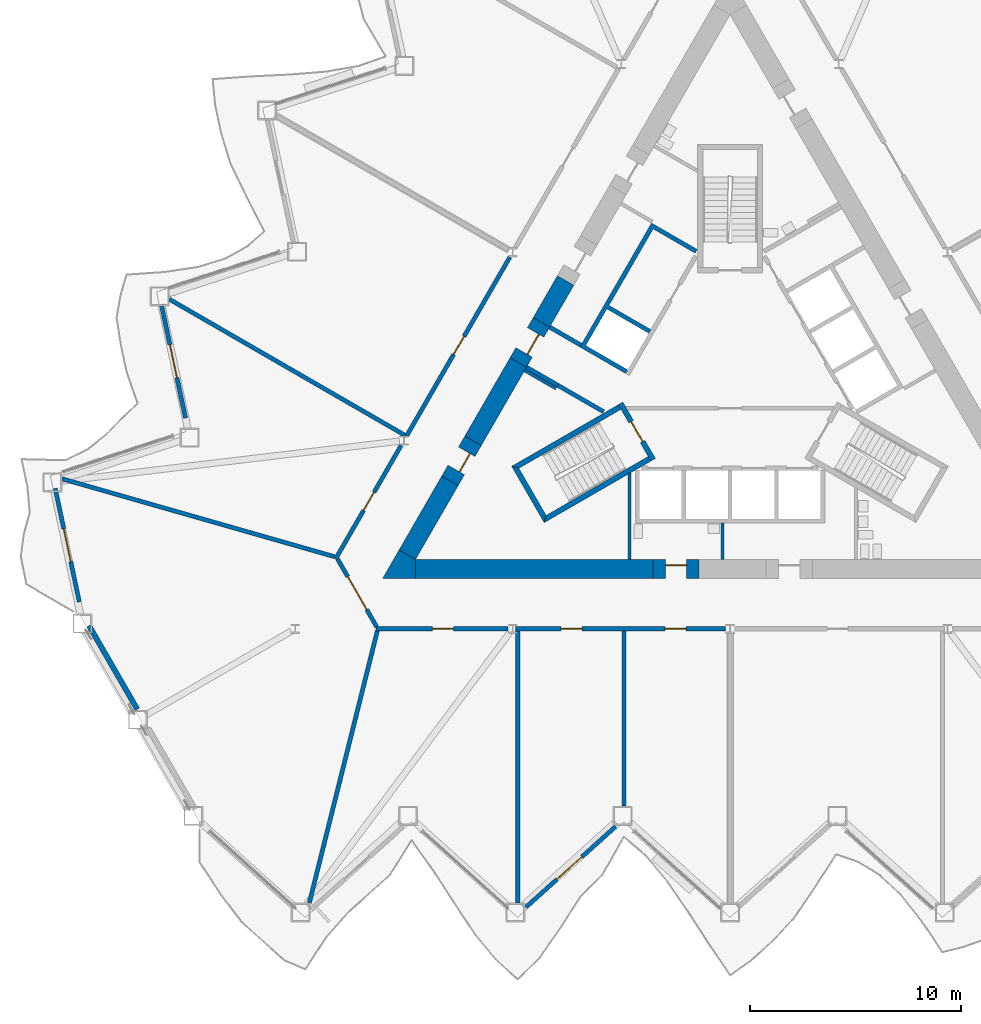
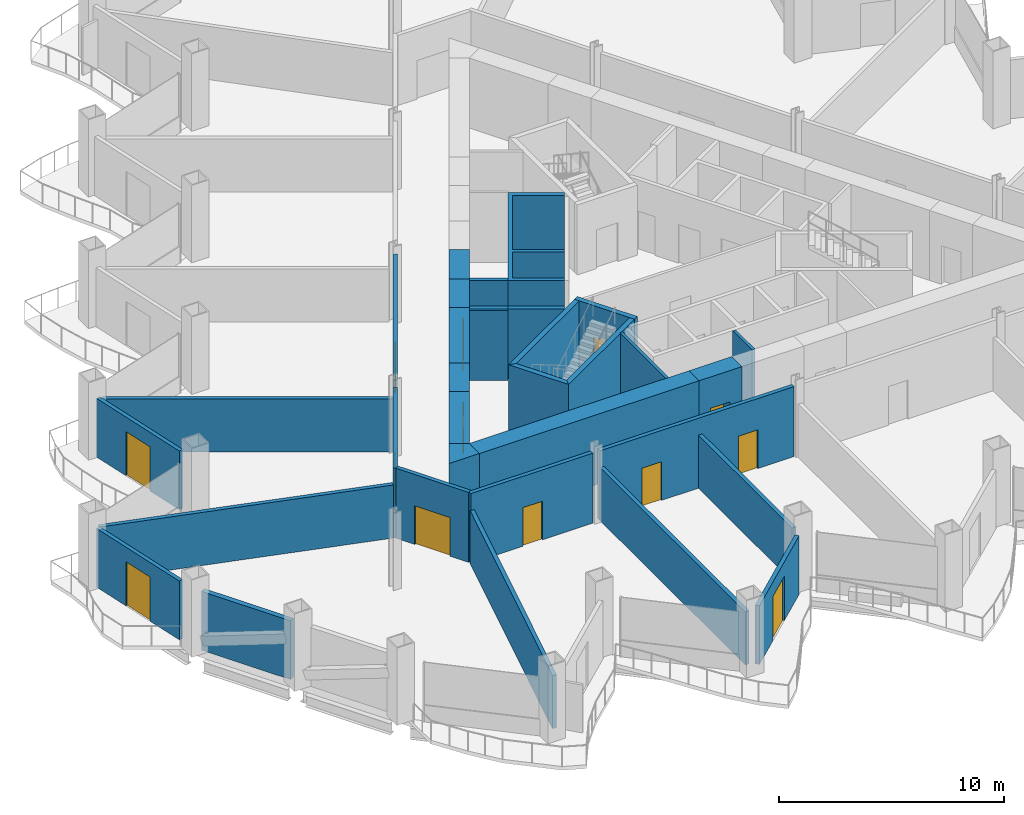
# One storey, part 10 of 21: 33 walls, 13 doors, 13 openings.
"""IFC4 building model written with IfcOpenShell, lengths in metres."""

import ifcopenshell
import ifcopenshell.guid

model = None  # the IFC model being written
_history = None  # IfcOwnerHistory: only IFC2X3 demands one
_inside = {}  # id of a spatial element -> (the spatial element, [elements in it])
_under = {}  # id of a project, library or spatial element -> (it, [spatial elements below it])
_declared = {}  # id of a project -> (the project, [libraries it declares])
_typed = {}  # id of a type object -> (the type object, [elements of that type])
_made_of = {}  # id of a material, layer set ... -> (it, [elements and type objects made of it])


def new_model(schema):
    """Start an empty IFC model of exactly this schema.

    Asked for "IFC4X3", IfcOpenShell would pick the latest addendum, in which some entities
    have other attributes; the version numbers below select the first issue.
    IFC2X3 requires an IfcOwnerHistory on every rooted entity: one is made here for all.
    """
    global model, _history
    if schema == "IFC4X3":
        model = ifcopenshell.file(schema_version=(4, 3, 0, 0))
    else:
        model = ifcopenshell.file(schema=schema)
    _inside.clear()
    _under.clear()
    _declared.clear()
    _typed.clear()
    _made_of.clear()
    _history = None
    if model.schema == "IFC2X3":
        org = make("IfcOrganization", Name="unknown")
        user = make(
            "IfcPersonAndOrganization",
            ThePerson=make("IfcPerson", FamilyName="unknown"),
            TheOrganization=org,
        )
        app = make(
            "IfcApplication",
            ApplicationDeveloper=org,
            Version="unknown",
            ApplicationFullName="unknown",
            ApplicationIdentifier="unknown",
        )
        _history = make(
            "IfcOwnerHistory",
            OwningUser=user,
            OwningApplication=app,
            ChangeAction="ADDED",
            CreationDate=0,
        )
    return model


def make(cls, **values):
    """One entity of the class cls with the attributes given. An attribute that is None is left unset."""
    return model.create_entity(
        cls, **{name: value for name, value in values.items() if value is not None}
    )


def rooted(cls, **values):
    """An entity with a GlobalId (a new one), such as an element, a storey or a relation."""
    return make(cls, GlobalId=ifcopenshell.guid.new(), OwnerHistory=_history, **values)


def si_unit(unit_type, name, prefix=None):
    """IfcSIUnit, for example si_unit("LENGTHUNIT", "METRE", prefix="MILLI")."""
    return make("IfcSIUnit", UnitType=unit_type, Prefix=prefix, Name=name)


def assignment(units):
    """IfcUnitAssignment: the units of a project."""
    return None if units is None else make("IfcUnitAssignment", Units=units)


def point(xyz):
    """IfcCartesianPoint."""
    return None if xyz is None else make("IfcCartesianPoint", Coordinates=xyz)


def direction(xyz):
    """IfcDirection."""
    return None if xyz is None else make("IfcDirection", DirectionRatios=xyz)


def frame(location, z_axis=None, x_axis=None):
    """IfcAxis2Placement3D, a coordinate frame: its origin and axes. An axis left out is left unset."""
    return make(
        "IfcAxis2Placement3D",
        Location=point(location),
        Axis=direction(z_axis),
        RefDirection=direction(x_axis),
    )


def frame_2d(location, x_axis=None):
    """IfcAxis2Placement2D, a coordinate frame in the plane: its origin and x axis."""
    return make(
        "IfcAxis2Placement2D", Location=point(location), RefDirection=direction(x_axis)
    )


def origin():
    """The frame at (0, 0, 0) with its axes left unset."""
    return frame((0.0, 0.0, 0.0))


def place(relative_to, where):
    """IfcLocalPlacement: puts the frame where relative to a parent placement (None: the world)."""
    return make(
        "IfcLocalPlacement", PlacementRelTo=relative_to, RelativePlacement=where
    )


def context(
    kind, dimensions, precision=None, world=None, true_north=None, identifier=None
):
    """IfcGeometricRepresentationContext, for example the 3D "Model" context."""
    return make(
        "IfcGeometricRepresentationContext",
        ContextIdentifier=identifier,
        ContextType=kind,
        CoordinateSpaceDimension=dimensions,
        Precision=precision,
        WorldCoordinateSystem=world,
        TrueNorth=true_north,
    )


def subcontext(parent, identifier, kind, view, scale=None):
    """IfcGeometricRepresentationSubContext, for example "Body" below "Model"."""
    return make(
        "IfcGeometricRepresentationSubContext",
        ContextIdentifier=identifier,
        ContextType=kind,
        ParentContext=parent,
        TargetScale=scale,
        TargetView=view,
    )


def project(units=None, contexts=None):
    """IfcProject with its units and contexts."""
    return rooted(
        "IfcProject",
        Name="project",
        RepresentationContexts=contexts,
        UnitsInContext=assignment(units),
    )


def spatial(cls, under=None, at=None, **own):
    """A site, building, storey or space (cls), placed at a placement, below another one or the project."""
    s = rooted(cls, ObjectPlacement=at, **own)
    if under is not None:
        _under.setdefault(under.id(), (under, []))[1].append(s)
    return s


def polyline(points):
    """IfcPolyline through the points."""
    return make("IfcPolyline", Points=[point(p) for p in points])


def profile(cls, at=None, kind="AREA", **sizes):
    """A parametric profile (cls). Its sizes go by their IFC names, for example OverallWidth=200.0."""
    return make(cls, ProfileType=kind, Position=at, **sizes)


def rectangle(**sizes):
    """IfcRectangleProfileDef."""
    return profile("IfcRectangleProfileDef", **sizes)


def outline(outer, holes=None, kind="AREA"):
    """IfcArbitraryClosedProfileDef: a profile drawn as a closed curve; with holes, ...WithVoids."""
    if holes is None:
        return make("IfcArbitraryClosedProfileDef", ProfileType=kind, OuterCurve=outer)
    return make(
        "IfcArbitraryProfileDefWithVoids",
        ProfileType=kind,
        OuterCurve=outer,
        InnerCurves=holes,
    )


def extrude(swept, where, along, depth):
    """IfcExtrudedAreaSolid: the profile swept, set in the frame where, extruded along a direction by depth."""
    return make(
        "IfcExtrudedAreaSolid",
        SweptArea=swept,
        Position=where,
        ExtrudedDirection=direction(along),
        Depth=depth,
    )


def shape(context_of_items, identifier, shape_type, items):
    """IfcShapeRepresentation: the items that make up one representation, for example the "Body"."""
    return make(
        "IfcShapeRepresentation",
        ContextOfItems=context_of_items,
        RepresentationIdentifier=identifier,
        RepresentationType=shape_type,
        Items=items,
    )


def material(Name=None, Category=None):
    """IfcMaterial."""
    return make("IfcMaterial", Name=Name, Category=Category)


def layer(
    of_material, thickness, ventilated=None, Name=None, Category=None, Priority=None
):
    """IfcMaterialLayer: one layer of a wall or slab, of a material (None: an air gap)."""
    return make(
        "IfcMaterialLayer",
        Material=of_material,
        LayerThickness=thickness,
        IsVentilated=ventilated,
        Name=Name,
        Category=Category,
        Priority=Priority,
    )


def layer_set(layers, Name=None):
    """IfcMaterialLayerSet."""
    return make("IfcMaterialLayerSet", MaterialLayers=layers, LayerSetName=Name)


def made_of(thing, what):
    """Note that an element or type object is made of a material, layer set ...; save() writes the relation."""
    if what is not None:
        _made_of.setdefault(what.id(), (what, []))[1].append(thing)
    return thing


def type_object(cls, material=None, **own):
    """A type object (cls), such as IfcWallType, which elements share."""
    return made_of(rooted(cls, **own), material)


def element(
    cls,
    number,
    at=None,
    inside=None,
    cuts=None,
    type_object=None,
    material=None,
    context=None,
    identifier="Body",
    shape_type=None,
    held_by="IfcProductDefinitionShape",
    body=None,
    shapes=None,
    **own,
):
    """One element of the class cls, such as IfcWall. Its Tag is "e" and its number.

    at: its placement. inside: the storey or other place that contains it. cuts: it is an
    opening in that element (IfcRelVoidsElement). A single representation is given by context,
    identifier, shape_type and body (its items); several are given by shapes. held_by: the class
    of the entity that holds the representations. save() writes the other relations.
    """
    e = rooted(cls, Tag="e%d" % number, ObjectPlacement=at, **own)
    if body is not None:
        shapes = [shape(context, identifier, shape_type, body)]
    if shapes is not None:
        e.Representation = make(held_by, Representations=shapes)
    if inside is not None:
        _inside.setdefault(inside.id(), (inside, []))[1].append(e)
    if cuts is not None:
        rooted(
            "IfcRelVoidsElement", RelatingBuildingElement=cuts, RelatedOpeningElement=e
        )
    if type_object is not None:
        _typed.setdefault(type_object.id(), (type_object, []))[1].append(e)
    return made_of(e, material)


def fill(opening, filler):
    """IfcRelFillsElement: the door or window that sits in an opening."""
    return rooted(
        "IfcRelFillsElement",
        RelatingOpeningElement=opening,
        RelatedBuildingElement=filler,
    )


def aggregate(whole, parts):
    """IfcRelAggregates: a whole, such as a stair, and the parts it consists of."""
    return rooted("IfcRelAggregates", RelatingObject=whole, RelatedObjects=parts)


def save(model, path):
    """Write the relations noted so far, then the file.

    IfcRelAggregates (storeys below a building ...), IfcRelContainedInSpatialStructure (elements
    in a storey), IfcRelDefinesByType, IfcRelAssociatesMaterial and IfcRelDeclares: one each for
    every whole, place, type object, material and project.
    """
    for whole, parts in _under.values():
        aggregate(whole, parts)
    for where, things in _inside.values():
        rooted(
            "IfcRelContainedInSpatialStructure",
            RelatedElements=things,
            RelatingStructure=where,
        )
    for kind, things in _typed.values():
        rooted("IfcRelDefinesByType", RelatedObjects=things, RelatingType=kind)
    for what, things in _made_of.values():
        rooted("IfcRelAssociatesMaterial", RelatedObjects=things, RelatingMaterial=what)
    for by, libraries in _declared.values():
        rooted("IfcRelDeclares", RelatingContext=by, RelatedDefinitions=libraries)
    model.write(path)


model = new_model("IFC4")

# Units and contexts
model_context = context("Model", 3, precision=1e-05, world=origin(), true_north=direction((0.0, 1.0)))
body_context = subcontext(model_context, "Body", "Model", "MODEL_VIEW")
ifc_project = project(units=[si_unit("LENGTHUNIT", "METRE"), si_unit("AREAUNIT", "SQUARE_METRE"), si_unit("VOLUMEUNIT", "CUBIC_METRE"), si_unit("PLANEANGLEUNIT", "RADIAN"), si_unit("MASSUNIT", "GRAM", prefix="KILO")], contexts=[model_context])

# Site, building, storey
site_placement = place(None, origin())
site = spatial("IfcSite", under=ifc_project, at=site_placement, CompositionType="ELEMENT")
building_placement = place(site_placement, origin())
building = spatial("IfcBuilding", under=site, at=building_placement, Name="Cormorant Prow Tower", CompositionType="ELEMENT")
storey_placement = place(building_placement, frame((0.0, 0.0, 133.199951171875)))
storey = spatial("IfcBuildingStorey", under=building, at=storey_placement, Name="L28", CompositionType="ELEMENT", Elevation=133.199951171875)

# Walls
ifc_material_1 = material(Name="Gypsum board partition")
ifc_layer_1 = layer(ifc_material_1, 0.14990234375)
ifc_layer_set_1 = layer_set([ifc_layer_1], Name="Gypsum board partition")
wall_type_1 = type_object("IfcWallType", Name="Core partition 150", PredefinedType="PARTITIONING", material=ifc_layer_set_1)
for number, where, z_axis, x_axis, name in (
    (1, (-8.268310546875, -0.509033203125, 0.0), (0.0, 0.0, 1.0), (-0.866024871741, 0.500000921525, 0.0), "Service room partition"),
    (2, (-0.351318359375, -8.626220703125, 0.0), (0.0, 0.0, 1.0), (0.0, 1.0, 0.0), "Service room partition"),
):
    element("IfcWall", number, at=place(storey_placement, frame(where, z_axis=z_axis, x_axis=x_axis)), inside=storey, type_object=wall_type_1, Name=name, PredefinedType="PARTITIONING", context=body_context, shape_type="SweptSolid", body=[
        extrude(rectangle(XDim=1.72021484375, YDim=0.14990234375, at=frame_2d((0.860107421875, 0.0))), origin(), (0.0, 0.0, 1.0), 3.800048828125),
    ])
wall_1_placement = place(storey_placement, frame((-4.78076171875, -8.626220703125, 0.0), z_axis=(0.0, 0.0, 1.0), x_axis=(0.0, 1.0, 0.0)))
element("IfcWall", 3, at=wall_1_placement, inside=storey, type_object=wall_type_1, Name="Service room partition", PredefinedType="PARTITIONING", context=body_context, shape_type="SweptSolid", body=[
    extrude(rectangle(XDim=4.09326171875, YDim=0.14990234375, at=frame_2d((2.046630859375, 0.0))), origin(), (0.0, 0.0, 1.0), 3.800048828125),
])
ifc_material_2 = material(Name="Concrete 8000 psi", Category="concrete")
ifc_layer_2 = layer(ifc_material_2, 0.89990234375)
ifc_layer_set_2 = layer_set([ifc_layer_2], Name="Concrete 8000 psi")
wall_type_2 = type_object("IfcWallType", Name="Core shear wall 900", PredefinedType="SHEAR", material=ifc_layer_set_2)
wall_2_placement = place(storey_placement, frame((-14.941162109375, -9.076416015625, 0.0), z_axis=(0.0, 0.0, 1.0), x_axis=(1.0, 0.0, 0.0)))
element("IfcWall", 4, at=wall_2_placement, inside=storey, type_object=wall_type_2, Name="Core wall", PredefinedType="SHEAR", context=body_context, shape_type="SweptSolid", body=[
    extrude(rectangle(XDim=11.275146484375, YDim=0.89990234375, at=frame_2d((5.6376953125, 0.0))), origin(), (0.0, 0.0, 1.0), 3.800048828125),
])
wall_3_placement = place(storey_placement, frame((-10.060302734375, 0.7275390625, 0.0), z_axis=(0.0, 0.0, 1.0), x_axis=(-0.499996331799, -0.866027521611, 0.0)))
element("IfcWall", 5, at=wall_3_placement, inside=storey, type_object=wall_type_2, Name="Core wall", PredefinedType="SHEAR", context=body_context, shape_type="SweptSolid", body=[
    extrude(rectangle(XDim=4.29541015625, YDim=0.89990234375, at=frame_2d((2.147705078125, 0.0))), origin(), (0.0, 0.0, 1.0), 3.800048828125),
])
wall_4_placement = place(storey_placement, frame((-13.30810546875, -4.897705078125, 0.0), z_axis=(0.0, 0.0, 1.0), x_axis=(-0.499974938593, -0.866039872511, 0.0)))
element("IfcWall", 6, at=wall_4_placement, inside=storey, type_object=wall_type_2, Name="Core wall", PredefinedType="SHEAR", context=body_context, shape_type="SweptSolid", body=[
    extrude(rectangle(XDim=4.045654296875, YDim=0.89990234375, at=frame_2d((2.02294921875, 0.0))), origin(), (0.0, 0.0, 1.0), 3.800048828125),
])
wall_5_placement = place(storey_placement, frame((-7.810302734375, 4.624755859375, 0.0), z_axis=(0.0, 0.0, 1.0), x_axis=(-0.499952165731, -0.866053019151, 0.0)))
element("IfcWall", 7, at=wall_5_placement, inside=storey, type_object=wall_type_2, Name="Core wall", PredefinedType="SHEAR", context=body_context, shape_type="SweptSolid", body=[
    extrude(rectangle(XDim=2.300048828125, YDim=0.89990234375, at=frame_2d((1.14990234375, 0.0))), origin(), (0.0, 0.0, 1.0), 3.800048828125),
])
wall_6_placement = place(storey_placement, origin())
element("IfcWall", 8, at=wall_6_placement, inside=storey, type_object=wall_type_2, Name="Core wall corner", PredefinedType="SHEAR", context=body_context, shape_type="SweptSolid", body=[
    extrude(outline(polyline([(-14.941162109375, -8.626220703125), (-14.941162109375, -9.5263671875), (-16.5, -9.5263671875), (-15.720703125, -8.17626953125), (-14.941162109375, -8.626220703125)])), origin(), (0.0, 0.0, 1.0), 3.800048828125),
])

# Wall, opening, door
wall_7_placement = place(storey_placement, frame((-3.666015625, -9.076416015625, 0.0), z_axis=(0.0, 0.0, 1.0), x_axis=(1.0, 0.0, 0.0)))
wall_7 = element("IfcWall", 9, at=wall_7_placement, inside=storey, type_object=wall_type_2, Name="Core wall door panel", PredefinedType="SHEAR", context=body_context, shape_type="SweptSolid", body=[
    extrude(rectangle(XDim=2.199951171875, YDim=0.89990234375, at=frame_2d((1.10009765625, 0.0))), origin(), (0.0, 0.0, 1.0), 3.800048828125),
])
opening_1_placement = place(wall_7_placement, frame((0.60009765625, 0.0, 0.0)))
opening_1 = element("IfcOpeningElement", 10, at=opening_1_placement, cuts=wall_7, Name="Opening L28-C14", PredefinedType="OPENING", context=body_context, shape_type="SweptSolid", body=[
    extrude(rectangle(XDim=1.0, YDim=2.10009765625, at=frame_2d((0.5, 1.050048828125))), frame((0.0, 0.4599609375, 0.0), z_axis=(0.0, -1.0, 0.0), x_axis=(1.0, 0.0, 0.0)), (0.0, 0.0, 1.0), 0.919921875),
])
ifc_material_3 = material(Name="Painted steel", Category="steel")
door_type_1 = type_object("IfcDoorType", Name="Service door 1000x2100", OperationType="NOTDEFINED", PredefinedType="DOOR", material=ifc_material_3)
door_1_placement = place(opening_1_placement, origin())
door_1 = element("IfcDoor", 11, at=door_1_placement, inside=storey, type_object=door_type_1, Name="Core door, Accessible WC L28", OperationType="SINGLE_SWING_LEFT", OverallHeight=2.10009765625, OverallWidth=1.0, PredefinedType="DOOR", context=body_context, shape_type="SweptSolid", body=[
    extrude(rectangle(XDim=1.0, YDim=2.10009765625, at=frame_2d((0.5, 1.050048828125))), frame((0.0, 0.205078125, 0.0), z_axis=(0.0, -1.0, 0.0), x_axis=(1.0, 0.0, 0.0)), (0.0, 0.0, 1.0), 0.050048828125),
])
fill(opening_1, door_1)

wall_8_placement = place(storey_placement, frame((-12.2080078125, -2.992431640625, 0.0), z_axis=(0.0, 0.0, 1.0), x_axis=(-0.50002983664, -0.866008176907, 0.0)))
wall_8 = element("IfcWall", 12, at=wall_8_placement, inside=storey, type_object=wall_type_2, Name="Core wall door panel", PredefinedType="SHEAR", context=body_context, shape_type="SweptSolid", body=[
    extrude(rectangle(XDim=2.199951171875, YDim=0.89990234375, at=frame_2d((1.10009765625, 0.0))), origin(), (0.0, 0.0, 1.0), 3.800048828125),
])
opening_2_placement = place(wall_8_placement, frame((0.60009765625, 0.0, 0.0)))
opening_2 = element("IfcOpeningElement", 13, at=opening_2_placement, cuts=wall_8, Name="Opening L28-C16", PredefinedType="OPENING", context=body_context, shape_type="SweptSolid", body=[
    extrude(rectangle(XDim=1.0, YDim=2.10009765625, at=frame_2d((0.5, 1.050048828125))), frame((0.0, 0.4599609375, 0.0), z_axis=(0.0, -1.0, 0.0), x_axis=(1.0, 0.0, 0.0)), (0.0, 0.0, 1.0), 0.919921875),
])
door_2_placement = place(opening_2_placement, origin())
door_2 = element("IfcDoor", 14, at=door_2_placement, inside=storey, type_object=door_type_1, Name="Core door, Linen store", OperationType="SINGLE_SWING_LEFT", OverallHeight=2.10009765625, OverallWidth=1.0, PredefinedType="DOOR", context=body_context, shape_type="SweptSolid", body=[
    extrude(rectangle(XDim=1.0, YDim=2.10009765625, at=frame_2d((0.5, 1.050048828125))), frame((0.0, 0.205078125, 0.0), z_axis=(0.0, -1.0, 0.0), x_axis=(1.0, 0.0, 0.0)), (0.0, 0.0, 1.0), 0.050048828125),
])
fill(opening_2, door_2)

wall_9_placement = place(storey_placement, frame((-8.960205078125, 2.6328125, 0.0), z_axis=(0.0, 0.0, 1.0), x_axis=(-0.50002983664, -0.866008176907, 0.0)))
wall_9 = element("IfcWall", 15, at=wall_9_placement, inside=storey, type_object=wall_type_2, Name="Core wall door panel", PredefinedType="SHEAR", context=body_context, shape_type="SweptSolid", body=[
    extrude(rectangle(XDim=2.199951171875, YDim=0.89990234375, at=frame_2d((1.10009765625, 0.0))), origin(), (0.0, 0.0, 1.0), 3.800048828125),
])
opening_3_placement = place(wall_9_placement, frame((0.550048828125, 0.0, 0.0)))
opening_3 = element("IfcOpeningElement", 16, at=opening_3_placement, cuts=wall_9, Name="Opening L28-C22", PredefinedType="OPENING", context=body_context, shape_type="SweptSolid", body=[
    extrude(rectangle(XDim=1.10009765625, YDim=2.10009765625, at=frame_2d((0.550048828125, 1.050048828125))), frame((0.0, 0.4599609375, 0.0), z_axis=(0.0, -1.0, 0.0), x_axis=(1.0, 0.0, 0.0)), (0.0, 0.0, 1.0), 0.919921875),
])
ifc_material_4 = material(Name="Painted steel", Category="steel")
door_type_2 = type_object("IfcDoorType", Name="Core door 1100x2100", OperationType="NOTDEFINED", PredefinedType="DOOR", material=ifc_material_4)
door_3_placement = place(opening_3_placement, origin())
door_3 = element("IfcDoor", 17, at=door_3_placement, inside=storey, type_object=door_type_2, Name="Core door, lift lobby", OperationType="SINGLE_SWING_LEFT", OverallHeight=2.10009765625, OverallWidth=1.10009765625, PredefinedType="DOOR", context=body_context, shape_type="SweptSolid", body=[
    extrude(rectangle(XDim=1.10009765625, YDim=2.10009765625, at=frame_2d((0.550048828125, 1.050048828125))), frame((0.0, 0.205078125, 0.0), z_axis=(0.0, -1.0, 0.0), x_axis=(1.0, 0.0, 0.0)), (0.0, 0.0, 1.0), 0.050048828125),
])
fill(opening_3, door_3)

# Wall, openings, doors
ifc_material_5 = material(Name="Gypsum board corridor wall")
ifc_layer_3 = layer(ifc_material_5, 0.199951171875)
ifc_layer_set_3 = layer_set([ifc_layer_3], Name="Gypsum board corridor wall")
wall_type_3 = type_object("IfcWallType", Name="Corridor wall 200", PredefinedType="PARTITIONING", material=ifc_layer_set_3)
wall_10_placement = place(storey_placement, frame((-10.19677734375, -11.92626953125, 0.0), z_axis=(0.0, 0.0, 1.0), x_axis=(1.0, 0.0, 0.0)))
wall_10 = element("IfcWall", 18, at=wall_10_placement, inside=storey, type_object=wall_type_3, Name="Corridor wall", PredefinedType="PARTITIONING", context=body_context, shape_type="SweptSolid", body=[
    extrude(rectangle(XDim=9.969482421875, YDim=0.199951171875, at=frame_2d((4.98486328125, 0.0))), origin(), (0.0, 0.0, 1.0), 3.800048828125),
])
opening_4_placement = place(wall_10_placement, frame((2.165771484375, 0.0, 0.0)))
opening_4 = element("IfcOpeningElement", 19, at=opening_4_placement, cuts=wall_10, Name="Opening L28-F02", PredefinedType="OPENING", context=body_context, shape_type="SweptSolid", body=[
    extrude(rectangle(XDim=1.0, YDim=2.10009765625, at=frame_2d((0.5, 1.050048828125))), frame((0.0, 0.10986328125, 0.0), z_axis=(0.0, -1.0, 0.0), x_axis=(1.0, 0.0, 0.0)), (0.0, 0.0, 1.0), 0.219970703125),
])
opening_5_placement = place(wall_10_placement, frame((7.106201171875, 0.0, 0.0)))
opening_5 = element("IfcOpeningElement", 20, at=opening_5_placement, cuts=wall_10, Name="Opening L28-F03", PredefinedType="OPENING", context=body_context, shape_type="SweptSolid", body=[
    extrude(rectangle(XDim=1.0, YDim=2.10009765625, at=frame_2d((0.5, 1.050048828125))), frame((0.0, 0.10986328125, 0.0), z_axis=(0.0, -1.0, 0.0), x_axis=(1.0, 0.0, 0.0)), (0.0, 0.0, 1.0), 0.219970703125),
])
ifc_material_6 = material(Name="Timber door leaf", Category="wood")
door_type_3 = type_object("IfcDoorType", Name="Office door 1000x2100", OperationType="NOTDEFINED", PredefinedType="DOOR", material=ifc_material_6)
door_4_placement = place(opening_4_placement, origin())
door_4 = element("IfcDoor", 21, at=door_4_placement, inside=storey, type_object=door_type_3, Name="Private office door", OperationType="SINGLE_SWING_LEFT", OverallHeight=2.10009765625, OverallWidth=1.0, PredefinedType="DOOR", context=body_context, shape_type="SweptSolid", body=[
    extrude(rectangle(XDim=1.0, YDim=2.10009765625, at=frame_2d((0.5, 1.050048828125))), frame((0.0, 0.02490234375, 0.0), z_axis=(0.0, -1.0, 0.0), x_axis=(1.0, 0.0, 0.0)), (0.0, 0.0, 1.0), 0.050048828125),
])
fill(opening_4, door_4)
door_5_placement = place(opening_5_placement, origin())
door_5 = element("IfcDoor", 22, at=door_5_placement, inside=storey, type_object=door_type_3, Name="Private office door", OperationType="SINGLE_SWING_LEFT", OverallHeight=2.10009765625, OverallWidth=1.0, PredefinedType="DOOR", context=body_context, shape_type="SweptSolid", body=[
    extrude(rectangle(XDim=1.0, YDim=2.10009765625, at=frame_2d((0.5, 1.050048828125))), frame((0.0, 0.02490234375, 0.0), z_axis=(0.0, -1.0, 0.0), x_axis=(1.0, 0.0, 0.0)), (0.0, 0.0, 1.0), 0.050048828125),
])
fill(opening_5, door_5)

# Wall, opening, door
wall_11_placement = place(storey_placement, frame((-15.361328125, -2.754150390625, 0.0), z_axis=(0.0, 0.0, 1.0), x_axis=(0.500004141693, 0.866023012564, 0.0)))
wall_11 = element("IfcWall", 23, at=wall_11_placement, inside=storey, type_object=wall_type_3, Name="Corridor wall", PredefinedType="PARTITIONING", context=body_context, shape_type="SweptSolid", body=[
    extrude(rectangle(XDim=9.80322265625, YDim=0.199951171875, at=frame_2d((4.901611328125, 0.0))), origin(), (0.0, 0.0, 1.0), 3.800048828125),
])
opening_6_placement = place(wall_11_placement, frame((4.45166015625, 0.0, 0.0)))
opening_6 = element("IfcOpeningElement", 24, at=opening_6_placement, cuts=wall_11, Name="Opening L28-F13", PredefinedType="OPENING", context=body_context, shape_type="SweptSolid", body=[
    extrude(rectangle(XDim=1.0, YDim=2.10009765625, at=frame_2d((0.5, 1.050048828125))), frame((0.0, 0.10986328125, 0.0), z_axis=(0.0, -1.0, 0.0), x_axis=(1.0, 0.0, 0.0)), (0.0, 0.0, 1.0), 0.219970703125),
])
door_6_placement = place(opening_6_placement, origin())
door_6 = element("IfcDoor", 25, at=door_6_placement, inside=storey, type_object=door_type_3, Name="Co-working room door", OperationType="SINGLE_SWING_LEFT", OverallHeight=2.10009765625, OverallWidth=1.0, PredefinedType="DOOR", context=body_context, shape_type="SweptSolid", body=[
    extrude(rectangle(XDim=1.0, YDim=2.10009765625, at=frame_2d((0.5, 1.050048828125))), frame((0.0, 0.02490234375, 0.0), z_axis=(0.0, -1.0, 0.0), x_axis=(1.0, 0.0, 0.0)), (0.0, 0.0, 1.0), 0.050048828125),
])
fill(opening_6, door_6)

wall_12_placement = place(storey_placement, frame((-16.830810546875, -11.92626953125, 0.0), z_axis=(0.0, 0.0, 1.0), x_axis=(1.0, 0.0, 0.0)))
wall_12 = element("IfcWall", 26, at=wall_12_placement, inside=storey, type_object=wall_type_3, Name="Corridor wall", PredefinedType="PARTITIONING", context=body_context, shape_type="SweptSolid", body=[
    extrude(rectangle(XDim=6.27490234375, YDim=0.199951171875, at=frame_2d((3.137451171875, 0.0))), origin(), (0.0, 0.0, 1.0), 3.800048828125),
])
opening_7_placement = place(wall_12_placement, frame((2.688232421875, 0.0, 0.0)))
opening_7 = element("IfcOpeningElement", 27, at=opening_7_placement, cuts=wall_12, Name="Opening L28-F01", PredefinedType="OPENING", context=body_context, shape_type="SweptSolid", body=[
    extrude(rectangle(XDim=1.0, YDim=2.10009765625, at=frame_2d((0.5, 1.050048828125))), frame((0.0, 0.10986328125, 0.0), z_axis=(0.0, -1.0, 0.0), x_axis=(1.0, 0.0, 0.0)), (0.0, 0.0, 1.0), 0.219970703125),
])
door_7_placement = place(opening_7_placement, origin())
door_7 = element("IfcDoor", 28, at=door_7_placement, inside=storey, type_object=door_type_3, Name="Open-plan office door", OperationType="SINGLE_SWING_LEFT", OverallHeight=2.10009765625, OverallWidth=1.0, PredefinedType="DOOR", context=body_context, shape_type="SweptSolid", body=[
    extrude(rectangle(XDim=1.0, YDim=2.10009765625, at=frame_2d((0.5, 1.050048828125))), frame((0.0, 0.02490234375, 0.0), z_axis=(0.0, -1.0, 0.0), x_axis=(1.0, 0.0, 0.0)), (0.0, 0.0, 1.0), 0.050048828125),
])
fill(opening_7, door_7)

wall_13_placement = place(storey_placement, frame((-18.743896484375, -8.61279296875, 0.0), z_axis=(0.0, 0.0, 1.0), x_axis=(0.499997920671, 0.866026604282, 0.0)))
wall_13 = element("IfcWall", 29, at=wall_13_placement, inside=storey, type_object=wall_type_3, Name="Corridor wall", PredefinedType="PARTITIONING", context=body_context, shape_type="SweptSolid", body=[
    extrude(rectangle(XDim=6.23974609375, YDim=0.199951171875, at=frame_2d((3.119873046875, 0.0))), origin(), (0.0, 0.0, 1.0), 3.800048828125),
])
opening_8_placement = place(wall_13_placement, frame((2.67041015625, 0.0, 0.0)))
opening_8 = element("IfcOpeningElement", 30, at=opening_8_placement, cuts=wall_13, Name="Opening L28-F14", PredefinedType="OPENING", context=body_context, shape_type="SweptSolid", body=[
    extrude(rectangle(XDim=1.0, YDim=2.10009765625, at=frame_2d((0.5, 1.050048828125))), frame((0.0, 0.10986328125, 0.0), z_axis=(0.0, -1.0, 0.0), x_axis=(1.0, 0.0, 0.0)), (0.0, 0.0, 1.0), 0.219970703125),
])
door_8_placement = place(opening_8_placement, origin())
door_8 = element("IfcDoor", 31, at=door_8_placement, inside=storey, type_object=door_type_3, Name="Tenant suite door", OperationType="SINGLE_SWING_RIGHT", OverallHeight=2.10009765625, OverallWidth=1.0, PredefinedType="DOOR", context=body_context, shape_type="SweptSolid", body=[
    extrude(rectangle(XDim=1.0, YDim=2.10009765625, at=frame_2d((0.5, 1.050048828125))), frame((0.0, 0.02490234375, 0.0), z_axis=(0.0, -1.0, 0.0), x_axis=(1.0, 0.0, 0.0)), (0.0, 0.0, 1.0), 0.050048828125),
])
fill(opening_8, door_8)

wall_14_placement = place(storey_placement, frame((-18.643798828125, -8.61279296875, 0.0), z_axis=(0.0, 0.0, 1.0), x_axis=(0.499958791762, -0.866049194065, 0.0)))
wall_14 = element("IfcWall", 32, at=wall_14_placement, inside=storey, type_object=wall_type_3, Name="Corridor wall", PredefinedType="PARTITIONING", context=body_context, shape_type="SweptSolid", body=[
    extrude(rectangle(XDim=3.725830078125, YDim=0.199951171875, at=frame_2d((1.86279296875, 0.0))), origin(), (0.0, 0.0, 1.0), 3.800048828125),
])
opening_9_placement = place(wall_14_placement, frame((0.962890625, 0.0, 0.0)))
opening_9 = element("IfcOpeningElement", 33, at=opening_9_placement, cuts=wall_14, Name="Opening L28-F15", PredefinedType="OPENING", context=body_context, shape_type="SweptSolid", body=[
    extrude(rectangle(XDim=1.800048828125, YDim=2.10009765625, at=frame_2d((0.89990234375, 1.050048828125))), frame((0.0, 0.10986328125, 0.0), z_axis=(0.0, -1.0, 0.0), x_axis=(1.0, 0.0, 0.0)), (0.0, 0.0, 1.0), 0.219970703125),
])
ifc_material_7 = material(Name="Timber door leaf", Category="wood")
door_type_4 = type_object("IfcDoorType", Name="Double door 1800x2100", OperationType="DOUBLE_DOOR_SINGLE_SWING", PredefinedType="DOOR", material=ifc_material_7)
door_9_placement = place(opening_9_placement, origin())
door_9 = element("IfcDoor", 34, at=door_9_placement, inside=storey, type_object=door_type_4, Name="Trading room door", OperationType="DOUBLE_DOOR_SINGLE_SWING", OverallHeight=2.10009765625, OverallWidth=1.800048828125, PredefinedType="DOOR", context=body_context, shape_type="SweptSolid", body=[
    extrude(rectangle(XDim=1.800048828125, YDim=2.10009765625, at=frame_2d((0.89990234375, 1.050048828125))), frame((0.0, 0.02490234375, 0.0), z_axis=(0.0, -1.0, 0.0), x_axis=(1.0, 0.0, 0.0)), (0.0, 0.0, 1.0), 0.050048828125),
])
fill(opening_9, door_9)

# Walls
ifc_material_8 = material(Name="Gypsum board demising wall")
ifc_layer_4 = layer(ifc_material_8, 0.199951171875)
ifc_layer_set_4 = layer_set([ifc_layer_4], Name="Gypsum board demising wall")
wall_type_4 = type_object("IfcWallType", Name="Demising wall 200", PredefinedType="PARTITIONING", material=ifc_layer_set_4)
wall_15_placement = place(storey_placement, frame((-31.736083984375, -4.797607421875, 0.0), z_axis=(0.0, 0.0, 1.0), x_axis=(0.961478776026, -0.274879179372, 0.0)))
element("IfcWall", 35, at=wall_15_placement, inside=storey, type_object=wall_type_4, Name="Demising wall", PredefinedType="PARTITIONING", context=body_context, shape_type="SweptSolid", body=[
    extrude(rectangle(XDim=13.46484375, YDim=0.199951171875, at=frame_2d((6.732421875, 0.0))), origin(), (0.0, 0.0, 1.0), 2.88525390625),
])
wall_16_placement = place(storey_placement, frame((-19.986572265625, -24.939208984375, 0.0), z_axis=(0.0, 0.0, 1.0), x_axis=(0.242708204495, 0.97009933897, 0.0)))
element("IfcWall", 36, at=wall_16_placement, inside=storey, type_object=wall_type_4, Name="Demising wall", PredefinedType="PARTITIONING", context=body_context, shape_type="SweptSolid", body=[
    extrude(rectangle(XDim=13.314208984375, YDim=0.199951171875, at=frame_2d((6.6572265625, 0.0))), origin(), (0.0, 0.0, 1.0), 2.88525390625),
])
wall_17_placement = place(storey_placement, frame((-10.0869140625, -24.939208984375, 0.0), z_axis=(0.0, 0.0, 1.0), x_axis=(0.0, 1.0, 0.0)))
element("IfcWall", 37, at=wall_17_placement, inside=storey, type_object=wall_type_4, Name="Demising wall", PredefinedType="PARTITIONING", context=body_context, shape_type="SweptSolid", body=[
    extrude(rectangle(XDim=12.912841796875, YDim=0.199951171875, at=frame_2d((6.45654296875, 0.0))), origin(), (0.0, 0.0, 1.0), 2.88525390625),
])
wall_18_placement = place(storey_placement, frame((-26.63623046875, 3.731201171875, 0.0), z_axis=(0.0, 0.0, 1.0), x_axis=(0.866024473704, -0.500001610943, 0.0)))
element("IfcWall", 38, at=wall_18_placement, inside=storey, type_object=wall_type_4, Name="Demising wall", PredefinedType="PARTITIONING", context=body_context, shape_type="SweptSolid", body=[
    extrude(rectangle(XDim=12.970703125, YDim=0.199951171875, at=frame_2d((6.4853515625, 0.0))), origin(), (0.0, 0.0, 1.0), 2.88525390625),
])
wall_19_placement = place(storey_placement, frame((-5.04345703125, -20.34716796875, 0.0), z_axis=(0.0, 0.0, 1.0), x_axis=(0.0, 1.0, 0.0)))
element("IfcWall", 39, at=wall_19_placement, inside=storey, type_object=wall_type_4, Name="Demising wall", PredefinedType="PARTITIONING", context=body_context, shape_type="SweptSolid", body=[
    extrude(rectangle(XDim=8.32080078125, YDim=0.199951171875, at=frame_2d((4.160400390625, 0.0))), origin(), (0.0, 0.0, 1.0), 2.88525390625),
])
ifc_material_9 = material(Name="Concrete 8000 psi", Category="concrete")
ifc_layer_5 = layer(ifc_material_9, 0.199951171875)
ifc_layer_set_5 = layer_set([ifc_layer_5], Name="Concrete 8000 psi")
wall_type_5 = type_object("IfcWallType", Name="Lift shaft wall 200", PredefinedType="SHEAR", material=ifc_layer_set_5)
wall_20_placement = place(storey_placement, origin())
element("IfcWall", 40, at=wall_20_placement, inside=storey, type_object=wall_type_5, Name="Lift shaft walls, WNW block", PredefinedType="SHEAR", context=body_context, shape_type="SweptSolid", body=[
    extrude(outline(polyline([(-6.060546875, -1.697021484375), (-8.230712890625, -0.444091796875), (-8.130859375, -0.27099609375), (-5.96044921875, -1.52392578125), (-6.060546875, -1.697021484375)])), origin(), (0.0, 0.0, 1.0), 3.800048828125),
])
wall_21_placement = place(storey_placement, origin())
element("IfcWall", 41, at=wall_21_placement, inside=storey, type_object=wall_type_5, Name="Lift shaft walls, WNW block", PredefinedType="SHEAR", context=body_context, shape_type="SweptSolid", body=[
    extrude(outline(polyline([(-4.96044921875, 0.2080078125), (-7.130859375, 1.461181640625), (-3.730712890625, 7.35009765625), (-1.560546875, 6.09716796875), (-1.660400390625, 5.923828125), (-3.65234375, 7.073974609375), (-5.75244140625, 3.4365234375), (-3.760498046875, 2.28662109375), (-3.860595703125, 2.11328125), (-5.852294921875, 3.263427734375), (-6.852294921875, 1.53125), (-4.860595703125, 0.38134765625), (-4.96044921875, 0.2080078125)])), origin(), (0.0, 0.0, 1.0), 3.800048828125),
])
for number, where, z_axis, x_axis, name in (
    (42, (-7.080810546875, 1.547607421875, 0.0), (0.0, 0.0, 1.0), (-0.865963414263, 0.500107353632, 0.0), "Lobby passage wall"),
    (43, (-8.180908203125, -0.357421875, 0.0), (0.0, 0.0, 1.0), (-0.866024871741, 0.500000921525, 0.0), "Lobby passage wall"),
):
    element("IfcWall", number, at=place(storey_placement, frame(where, z_axis=z_axis, x_axis=x_axis)), inside=storey, type_object=wall_type_5, Name=name, PredefinedType="SHEAR", context=body_context, shape_type="SweptSolid", body=[
        extrude(rectangle(XDim=1.72021484375, YDim=0.199951171875, at=frame_2d((0.860107421875, 0.0))), origin(), (0.0, 0.0, 1.0), 3.800048828125),
    ])
ifc_material_10 = material(Name="Concrete 8000 psi", Category="concrete")
ifc_layer_6 = layer(ifc_material_10, 0.25)
ifc_layer_set_6 = layer_set([ifc_layer_6], Name="Concrete 8000 psi")
wall_type_6 = type_object("IfcWallType", Name="Stair wall 250", PredefinedType="SHEAR", material=ifc_layer_set_6)
wall_22_placement = place(storey_placement, origin())
element("IfcWall", 44, at=wall_22_placement, inside=storey, type_object=wall_type_6, Name="Stair ST1 enclosure wall (flank)", PredefinedType="SHEAR", context=body_context, shape_type="SweptSolid", body=[
    extrude(outline(polyline([(-5.30712890625, -1.28125), (-10.37353515625, -4.206298828125), (-10.031982421875, -4.2978515625), (-5.18212890625, -1.497802734375), (-5.30712890625, -1.28125)])), origin(), (0.0, 0.0, 1.0), 3.800048828125),
])
wall_23_placement = place(storey_placement, origin())
element("IfcWall", 45, at=wall_23_placement, inside=storey, type_object=wall_type_6, Name="Stair ST1 enclosure wall (end)", PredefinedType="SHEAR", context=body_context, shape_type="SweptSolid", body=[
    extrude(outline(polyline([(-10.37353515625, -4.206298828125), (-8.82958984375, -6.880615234375), (-8.738037109375, -6.5390625), (-10.031982421875, -4.2978515625), (-10.37353515625, -4.206298828125)])), origin(), (0.0, 0.0, 1.0), 3.800048828125),
])
wall_24_placement = place(storey_placement, origin())
element("IfcWall", 46, at=wall_24_placement, inside=storey, type_object=wall_type_6, Name="Stair ST1 enclosure wall (flank)", PredefinedType="SHEAR", context=body_context, shape_type="SweptSolid", body=[
    extrude(outline(polyline([(-8.738037109375, -6.5390625), (-8.82958984375, -6.880615234375), (-3.76318359375, -3.95556640625), (-3.88818359375, -3.739013671875), (-8.738037109375, -6.5390625)])), origin(), (0.0, 0.0, 1.0), 3.800048828125),
])

# Wall, opening, door
wall_25_placement = place(storey_placement, frame((-5.198974609375, -1.21875, 0.0), z_axis=(0.0, 0.0, 1.0), x_axis=(0.499982516597, -0.866035497597, 0.0)))
wall_25 = element("IfcWall", 47, at=wall_25_placement, inside=storey, type_object=wall_type_6, Name="Stair ST1 door wall", PredefinedType="SHEAR", context=body_context, shape_type="SweptSolid", body=[
    extrude(rectangle(XDim=3.087890625, YDim=0.25, at=frame_2d((1.5439453125, 0.0))), origin(), (0.0, 0.0, 1.0), 3.800048828125),
])
opening_10_placement = place(wall_25_placement, frame((0.993896484375, 0.0, 0.0)))
opening_10 = element("IfcOpeningElement", 48, at=opening_10_placement, cuts=wall_25, Name="Opening L28-C11", PredefinedType="OPENING", context=body_context, shape_type="SweptSolid", body=[
    extrude(rectangle(XDim=1.10009765625, YDim=2.10009765625, at=frame_2d((0.550048828125, 1.050048828125))), frame((0.0, 0.135009765625, 0.0), z_axis=(0.0, -1.0, 0.0), x_axis=(1.0, 0.0, 0.0)), (0.0, 0.0, 1.0), 0.27001953125),
])
ifc_material_11 = material(Name="Painted steel", Category="steel")
door_type_5 = type_object("IfcDoorType", Name="Stair door 1100x2100", OperationType="NOTDEFINED", PredefinedType="DOOR", material=ifc_material_11)
door_10_placement = place(opening_10_placement, origin())
door_10 = element("IfcDoor", 49, at=door_10_placement, inside=storey, type_object=door_type_5, Name="Stair ST1 door", OperationType="SINGLE_SWING_LEFT", OverallHeight=2.10009765625, OverallWidth=1.10009765625, PredefinedType="DOOR", context=body_context, shape_type="SweptSolid", body=[
    extrude(rectangle(XDim=1.10009765625, YDim=2.10009765625, at=frame_2d((0.550048828125, 1.050048828125))), frame((0.0, 0.02490234375, 0.0), z_axis=(0.0, -1.0, 0.0), x_axis=(1.0, 0.0, 0.0)), (0.0, 0.0, 1.0), 0.050048828125),
])
fill(opening_10, door_10)

# Wall
ifc_material_12 = material(Name="Terracotta", Category="masonry")
ifc_layer_7 = layer(ifc_material_12, 0.25)
ifc_layer_set_7 = layer_set([ifc_layer_7], Name="Terracotta")
wall_type_7 = type_object("IfcWallType", Name="Terracotta bay wall 250", PredefinedType="SOLIDWALL", material=ifc_layer_set_7)
wall_26_placement = place(storey_placement, frame((-30.451904296875, -11.77880859375, 0.0), z_axis=(0.0, 0.0, 1.0), x_axis=(0.500016357846, -0.866015959371, 0.0)))
element("IfcWall", 50, at=wall_26_placement, inside=storey, type_object=wall_type_7, Name="Terracotta bay wall WSW00", PredefinedType="SOLIDWALL", context=body_context, shape_type="SweptSolid", body=[
    extrude(rectangle(XDim=4.577880859375, YDim=0.25, at=frame_2d((2.2890625, 0.0))), origin(), (0.0, 0.0, 1.0), 3.18896484375),
])

# Wall, opening, door
ifc_material_13 = material(Name="Terracotta", Category="masonry")
ifc_layer_8 = layer(ifc_material_13, 0.199951171875)
ifc_layer_set_8 = layer_set([ifc_layer_8], Name="Terracotta")
wall_type_8 = type_object("IfcWallType", Name="Terracotta jamb wall 200", PredefinedType="SOLIDWALL", material=ifc_layer_set_8)
wall_27_placement = place(storey_placement, frame((-9.6962890625, -25.15087890625, 0.0), z_axis=(0.0, 0.0, 1.0), x_axis=(0.743141591148, 0.669134198428, 0.0)))
wall_27 = element("IfcWall", 51, at=wall_27_placement, inside=storey, type_object=wall_type_8, Name="Terracotta jamb wall S03", PredefinedType="SOLIDWALL", context=body_context, shape_type="SweptSolid", body=[
    extrude(rectangle(XDim=5.730224609375, YDim=0.199951171875, at=frame_2d((2.865234375, 0.0))), origin(), (0.0, 0.0, 1.0), 3.18896484375),
])
opening_11_placement = place(wall_27_placement, frame((1.977783203125, 0.0, 0.0)))
opening_11 = element("IfcOpeningElement", 52, at=opening_11_placement, cuts=wall_27, Name="Opening ED28.02", PredefinedType="OPENING", context=body_context, shape_type="SweptSolid", body=[
    extrude(rectangle(XDim=1.60009765625, YDim=2.39990234375, at=frame_2d((0.800048828125, 1.199951171875))), frame((0.0, 0.10986328125, 0.0), z_axis=(0.0, -1.0, 0.0), x_axis=(1.0, 0.0, 0.0)), (0.0, 0.0, 1.0), 0.219970703125),
])
ifc_material_14 = material(Name="Aluminium 6063-T6", Category="aluminium")
door_type_6 = type_object("IfcDoorType", Name="Balcony door 1600x2400", OperationType="DOUBLE_DOOR_SINGLE_SWING", PredefinedType="DOOR", material=ifc_material_14)
door_11_placement = place(opening_11_placement, origin())
door_11 = element("IfcDoor", 53, at=door_11_placement, inside=storey, type_object=door_type_6, Name="Balcony door S03 ED28.02", OperationType="DOUBLE_DOOR_SINGLE_SWING", OverallHeight=2.39990234375, OverallWidth=1.60009765625, PredefinedType="DOOR", context=body_context, shape_type="SweptSolid", body=[
    extrude(rectangle(XDim=1.60009765625, YDim=2.39990234375, at=frame_2d((0.800048828125, 1.199951171875))), frame((0.0, 0.02490234375, 0.0), z_axis=(0.0, -1.0, 0.0), x_axis=(1.0, 0.0, 0.0)), (0.0, 0.0, 1.0), 0.050048828125),
])
fill(opening_11, door_11)

wall_28_placement = place(storey_placement, frame((-27.015625, 3.481689453125, 0.0), z_axis=(0.0, 0.0, 1.0), x_axis=(0.207902173992, -0.978149623549, 0.0)))
wall_28 = element("IfcWall", 54, at=wall_28_placement, inside=storey, type_object=wall_type_8, Name="Terracotta jamb wall WNW07", PredefinedType="SOLIDWALL", context=body_context, shape_type="SweptSolid", body=[
    extrude(rectangle(XDim=5.5146484375, YDim=0.199951171875, at=frame_2d((2.75732421875, 0.0))), origin(), (0.0, 0.0, 1.0), 3.18896484375),
])
opening_12_placement = place(wall_28_placement, frame((1.957275390625, 0.0, 0.0)))
opening_12 = element("IfcOpeningElement", 55, at=opening_12_placement, cuts=wall_28, Name="Opening ED28.14", PredefinedType="OPENING", context=body_context, shape_type="SweptSolid", body=[
    extrude(rectangle(XDim=1.60009765625, YDim=2.39990234375, at=frame_2d((0.800048828125, 1.199951171875))), frame((0.0, 0.10986328125, 0.0), z_axis=(0.0, -1.0, 0.0), x_axis=(1.0, 0.0, 0.0)), (0.0, 0.0, 1.0), 0.219970703125),
])
door_12_placement = place(opening_12_placement, origin())
door_12 = element("IfcDoor", 56, at=door_12_placement, inside=storey, type_object=door_type_6, Name="Balcony door WNW07 ED28.14", OperationType="DOUBLE_DOOR_SINGLE_SWING", OverallHeight=2.39990234375, OverallWidth=1.60009765625, PredefinedType="DOOR", context=body_context, shape_type="SweptSolid", body=[
    extrude(rectangle(XDim=1.60009765625, YDim=2.39990234375, at=frame_2d((0.800048828125, 1.199951171875))), frame((0.0, 0.02490234375, 0.0), z_axis=(0.0, -1.0, 0.0), x_axis=(1.0, 0.0, 0.0)), (0.0, 0.0, 1.0), 0.050048828125),
])
fill(opening_12, door_12)

wall_29_placement = place(storey_placement, frame((-32.05908203125, -5.253662109375, 0.0), z_axis=(0.0, 0.0, 1.0), x_axis=(0.207902173992, -0.978149623549, 0.0)))
wall_29 = element("IfcWall", 57, at=wall_29_placement, inside=storey, type_object=wall_type_8, Name="Terracotta jamb wall WNW09", PredefinedType="SOLIDWALL", context=body_context, shape_type="SweptSolid", body=[
    extrude(rectangle(XDim=5.5146484375, YDim=0.199951171875, at=frame_2d((2.75732421875, 0.0))), origin(), (0.0, 0.0, 1.0), 3.18896484375),
])
opening_13_placement = place(wall_29_placement, frame((1.957275390625, 0.0, 0.0)))
opening_13 = element("IfcOpeningElement", 58, at=opening_13_placement, cuts=wall_29, Name="Opening ED28.15", PredefinedType="OPENING", context=body_context, shape_type="SweptSolid", body=[
    extrude(rectangle(XDim=1.60009765625, YDim=2.39990234375, at=frame_2d((0.800048828125, 1.199951171875))), frame((0.0, 0.10986328125, 0.0), z_axis=(0.0, -1.0, 0.0), x_axis=(1.0, 0.0, 0.0)), (0.0, 0.0, 1.0), 0.219970703125),
])
door_13_placement = place(opening_13_placement, origin())
door_13 = element("IfcDoor", 59, at=door_13_placement, inside=storey, type_object=door_type_6, Name="Balcony door WNW09 ED28.15", OperationType="DOUBLE_DOOR_SINGLE_SWING", OverallHeight=2.39990234375, OverallWidth=1.60009765625, PredefinedType="DOOR", context=body_context, shape_type="SweptSolid", body=[
    extrude(rectangle(XDim=1.60009765625, YDim=2.39990234375, at=frame_2d((0.800048828125, 1.199951171875))), frame((0.0, 0.02490234375, 0.0), z_axis=(0.0, -1.0, 0.0), x_axis=(1.0, 0.0, 0.0)), (0.0, 0.0, 1.0), 0.050048828125),
])
fill(opening_13, door_13)

save(model, "model.ifc")
